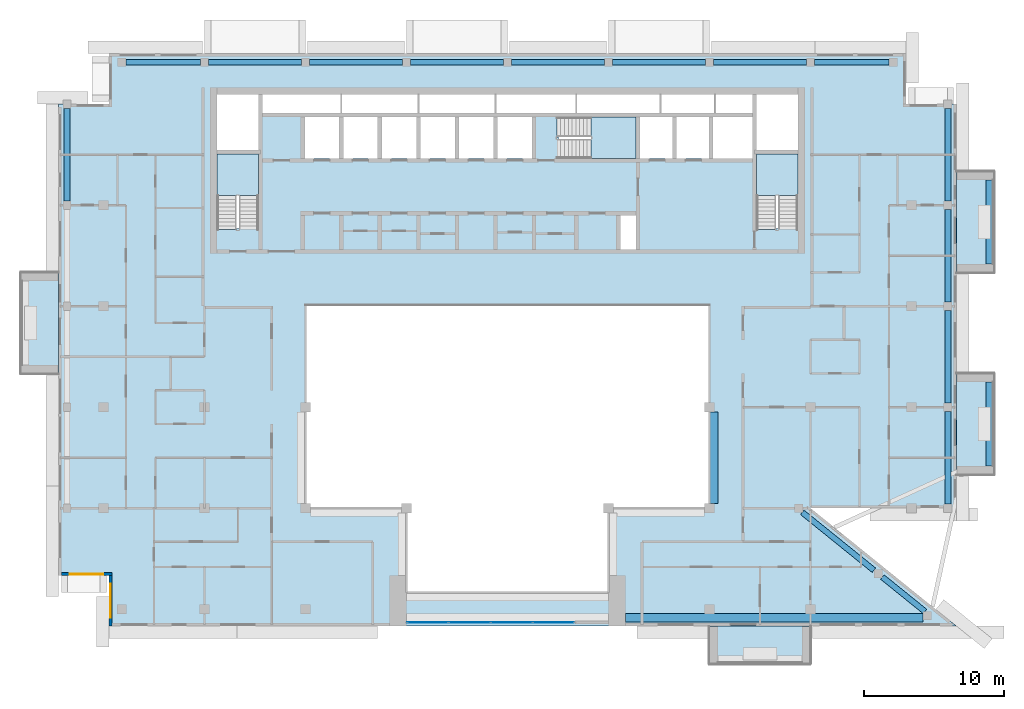
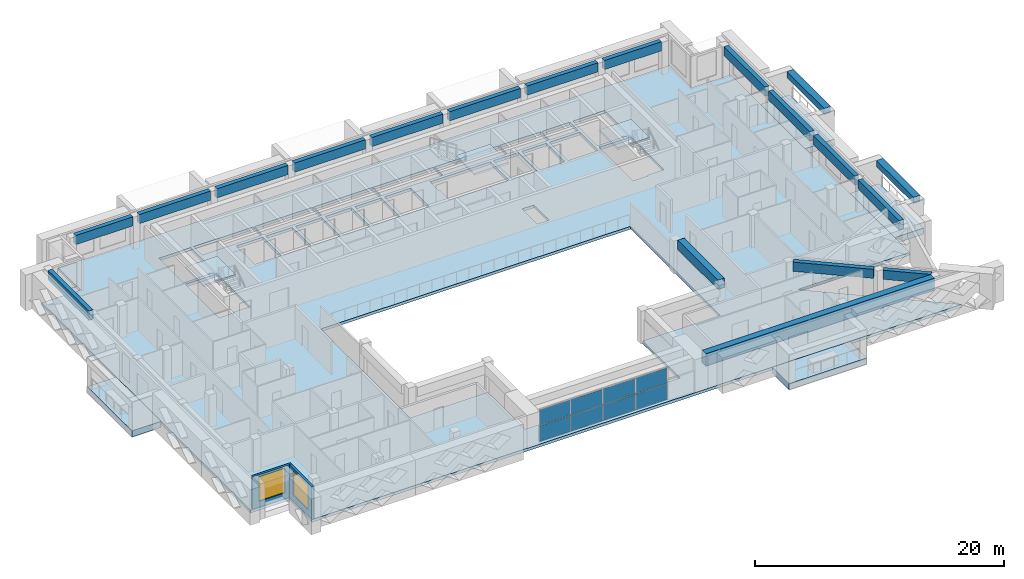
# One storey, part 5 of 19: 19 beams, 8 plates, 8 slabs, 2 walls, 2 windows, 2 openings, 4 elements without a shape of their own.
"""IFC4 building model written with IfcOpenShell, lengths in metres."""

from ifc_helpers import new_model, si_unit, direction, frame, frame_2d, origin, origin_2d, place, context, subcontext, project, spatial, polyline, rectangle, outline, extrude, source, transform, mapped, material, layer, layer_set, material_profile, profile_set, type_object, element, fill, aggregate, save


model = new_model("IFC4")

# Units and contexts
model_context = context("Model", 3, precision=1e-05, world=origin(), true_north=direction((0.0, 1.0)))
body_context = subcontext(model_context, "Body", "Model", "MODEL_VIEW")
ifc_project = project(units=[si_unit("LENGTHUNIT", "METRE"), si_unit("AREAUNIT", "SQUARE_METRE"), si_unit("VOLUMEUNIT", "CUBIC_METRE"), si_unit("PLANEANGLEUNIT", "RADIAN"), si_unit("MASSUNIT", "GRAM", prefix="KILO")], contexts=[model_context])

# Site, building, storey
site_placement = place(None, origin())
site = spatial("IfcSite", under=ifc_project, at=site_placement, CompositionType="ELEMENT")
building_placement = place(site_placement, origin())
building = spatial("IfcBuilding", under=site, at=building_placement, Name="Saffron Iwan Residences", CompositionType="ELEMENT")
storey_placement = place(building_placement, frame((0.0, 0.0, 253.5)))
storey = spatial("IfcBuildingStorey", under=building, at=storey_placement, Name="L68", CompositionType="ELEMENT", Elevation=253.5)

# Beams
ifc_material_1 = material(Name="Concrete C40/50", Category="concrete")
ifc_material_profile_1 = material_profile(ifc_material_1, rectangle(XDim=0.39990234375, YDim=0.89990234375, at=origin_2d()), Name="RC 400x900")
ifc_profile_set_1 = profile_set([ifc_material_profile_1], Name="Concrete C40/50")
beam_type_1 = type_object("IfcBeamType", Name="SPANDREL BEAM RC 400x900 C40/50 TOP 3220", PredefinedType="SPANDREL", material=ifc_profile_set_1)
shared_shape_1 = source(origin(), body_context, "Body", "SweptSolid", [
    extrude(rectangle(XDim=0.39990234375, YDim=0.89990234375, at=origin_2d()), origin(), (0.0, 0.0, 1.0), 3.91162109375),
])
beam_1_placement = place(storey_placement, frame((77.123046875, 43.0908203125, 2.77001953125), z_axis=(0.777943527056, -0.62833420145, 0.0), x_axis=(0.62833420145, 0.777943527056, 0.0)))
element("IfcBeam", 1, at=beam_1_placement, inside=storey, type_object=beam_type_1, Name="Spandrel beam", PredefinedType="SPANDREL", context=body_context, shape_type="MappedRepresentation", body=[
    mapped(shared_shape_1, transform((0.0, 0.0, 0.0))),
])
shared_shape_2 = source(origin(), body_context, "Body", "SweptSolid", [
    extrude(rectangle(XDim=0.39990234375, YDim=0.89990234375, at=origin_2d()), origin(), (0.0, 0.0, 1.0), 6.564208984375),
])
beam_2_placement = place(storey_placement, frame((71.41650390625, 47.699951171875, 2.77001953125), z_axis=(0.77793558619, -0.628344032946, 0.0), x_axis=(0.628344032946, 0.77793558619, 0.0)))
element("IfcBeam", 2, at=beam_2_placement, inside=storey, type_object=beam_type_1, Name="Spandrel beam", PredefinedType="SPANDREL", context=body_context, shape_type="MappedRepresentation", body=[
    mapped(shared_shape_2, transform((0.0, 0.0, 0.0))),
])
shared_shape_3 = source(origin(), body_context, "Body", "SweptSolid", [
    extrude(rectangle(XDim=0.39990234375, YDim=0.89990234375, at=origin_2d()), origin(), (0.0, 0.0, 1.0), 6.599853515625),
])
for number, where, z_axis, x_axis, name in (
    (3, (81.800048828125, 54.89990234375, 2.77001953125), (0.0, -1.0, 0.0), (1.0, 0.0, 0.0), "Spandrel beam"),
    (4, (29.10009765625, 79.800048828125, 2.77001953125), (1.0, 0.0, 0.0), (0.0, 1.0, 0.0), "Spandrel beam"),
    (5, (36.300048828125, 79.800048828125, 2.77001953125), (1.0, 0.0, 0.0), (0.0, 1.0, 0.0), "Spandrel beam"),
    (6, (65.10009765625, 79.800048828125, 2.77001953125), (1.0, 0.0, 0.0), (0.0, 1.0, 0.0), "Spandrel beam"),
):
    element("IfcBeam", number, at=place(storey_placement, frame(where, z_axis=z_axis, x_axis=x_axis)), inside=storey, type_object=beam_type_1, Name=name, PredefinedType="SPANDREL", context=body_context, shape_type="MappedRepresentation", body=[
        mapped(shared_shape_3, transform((0.0, 0.0, 0.0))),
    ])
shared_shape_4 = source(origin(), body_context, "Body", "SweptSolid", [
    extrude(rectangle(XDim=0.39990234375, YDim=0.89990234375, at=origin_2d()), origin(), (0.0, 0.0, 1.0), 6.60009765625),
])
for number, where, z_axis, x_axis, name in (
    (7, (81.800048828125, 62.10009765625, 2.77001953125), (0.0, -1.0, 0.0), (1.0, 0.0, 0.0), "Spandrel beam"),
    (8, (81.800048828125, 69.300048828125, 2.77001953125), (0.0, -1.0, 0.0), (1.0, 0.0, 0.0), "Spandrel beam"),
    (9, (19.0, 69.89990234375, 2.77001953125), (0.0, 1.0, 0.0), (-1.0, 0.0, 0.0), "Spandrel beam"),
    (10, (81.800048828125, 76.5, 2.77001953125), (0.0, -1.0, 0.0), (1.0, 0.0, 0.0), "Spandrel beam"),
    (11, (43.5, 79.800048828125, 2.77001953125), (1.0, 0.0, 0.0), (0.0, 1.0, 0.0), "Spandrel beam"),
    (12, (50.699951171875, 79.800048828125, 2.77001953125), (1.0, 0.0, 0.0), (0.0, 1.0, 0.0), "Spandrel beam"),
    (13, (57.89990234375, 79.800048828125, 2.77001953125), (1.0, 0.0, 0.0), (0.0, 1.0, 0.0), "Spandrel beam"),
):
    element("IfcBeam", number, at=place(storey_placement, frame(where, z_axis=z_axis, x_axis=x_axis)), inside=storey, type_object=beam_type_1, Name=name, PredefinedType="SPANDREL", context=body_context, shape_type="MappedRepresentation", body=[
        mapped(shared_shape_4, transform((0.0, 0.0, 0.0))),
    ])
shared_shape_5 = source(origin(), body_context, "Body", "SweptSolid", [
    extrude(rectangle(XDim=0.39990234375, YDim=0.89990234375, at=origin_2d()), origin(), (0.0, 0.0, 1.0), 5.300048828125),
])
for number, where, z_axis, x_axis, name in (
    (14, (23.199951171875, 79.800048828125, 2.77001953125), (1.0, 0.0, 0.0), (0.0, 1.0, 0.0), "Spandrel beam"),
    (15, (72.300048828125, 79.800048828125, 2.77001953125), (1.0, 0.0, 0.0), (0.0, 1.0, 0.0), "Spandrel beam"),
):
    element("IfcBeam", number, at=place(storey_placement, frame(where, z_axis=z_axis, x_axis=x_axis)), inside=storey, type_object=beam_type_1, Name=name, PredefinedType="SPANDREL", context=body_context, shape_type="MappedRepresentation", body=[
        mapped(shared_shape_5, transform((0.0, 0.0, 0.0))),
    ])
ifc_material_profile_2 = material_profile(ifc_material_1, rectangle(XDim=0.60009765625, YDim=1.199951171875, at=origin_2d()), Name="RC 600x1200")
ifc_profile_set_2 = profile_set([ifc_material_profile_2], Name="Concrete C40/50")
beam_type_2 = type_object("IfcBeamType", Name="LINTEL BEAM RC 600x1200 C40/50 TOP 3220", PredefinedType="LINTEL", material=ifc_profile_set_2)
shared_shape_6 = source(origin(), body_context, "Body", "SweptSolid", [
    extrude(rectangle(XDim=0.60009765625, YDim=1.199951171875, at=origin_2d()), origin(), (0.0, 0.0, 1.0), 21.2255859375),
])
beam_3_placement = place(storey_placement, frame((80.025634765625, 40.199951171875, 2.6201171875), z_axis=(-1.0, 0.0, 0.0), x_axis=(0.0, -1.0, 0.0)))
element("IfcBeam", 16, at=beam_3_placement, inside=storey, type_object=beam_type_2, Name="Lintel beam over the iwan", PredefinedType="LINTEL", context=body_context, shape_type="MappedRepresentation", body=[
    mapped(shared_shape_6, transform((0.0, 0.0, 0.0))),
])
ifc_material_profile_3 = material_profile(ifc_material_1, rectangle(XDim=0.60009765625, YDim=0.89990234375, at=origin_2d()), Name="RC 600x900")
ifc_profile_set_3 = profile_set([ifc_material_profile_3], Name="Concrete C40/50")
beam_type_3 = type_object("IfcBeamType", Name="BEAM RC 600x900 C40/50 TOP 3220", PredefinedType="BEAM", material=ifc_profile_set_3)
shared_shape_7 = source(origin(), body_context, "Body", "SweptSolid", [
    extrude(rectangle(XDim=0.60009765625, YDim=0.89990234375, at=origin_2d()), origin(), (0.0, 0.0, 1.0), 6.5),
])
beam_4_placement = place(storey_placement, frame((65.10009765625, 54.85009765625, 2.77001953125), z_axis=(0.0, -1.0, 0.0), x_axis=(1.0, 0.0, 0.0)))
element("IfcBeam", 17, at=beam_4_placement, inside=storey, type_object=beam_type_3, Name="Atrium edge beam", PredefinedType="BEAM", context=body_context, shape_type="MappedRepresentation", body=[
    mapped(shared_shape_7, transform((0.0, 0.0, 0.0))),
])
ifc_material_2 = material(Name="Concrete C50/60 white painted", Category="concrete")
ifc_material_profile_4 = material_profile(ifc_material_2, rectangle(XDim=0.60009765625, YDim=0.60009765625, at=origin_2d()), Name="BALCONY FASCIA BEAM 600 x 600")
ifc_profile_set_4 = profile_set([ifc_material_profile_4], Name="Concrete C50/60 white painted")
beam_type_4 = type_object("IfcBeamType", Name="BALCONY FASCIA BEAM 600 x 600", PredefinedType="BEAM", material=ifc_profile_set_4)
shared_shape_8 = source(origin(), body_context, "Body", "SweptSolid", [
    extrude(rectangle(XDim=0.60009765625, YDim=0.60009765625, at=origin_2d()), origin(), (0.0, 0.0, 1.0), 6.0),
])
for number, where, z_axis, x_axis, name in (
    (18, (84.800048828125, 51.0, 2.550048828125), (0.0, 1.0, 0.0), (-1.0, 0.0, 0.0), "Balcony fascia beam L68 F2-0"),
    (19, (84.800048828125, 65.39990234375, 2.550048828125), (0.0, 1.0, 0.0), (-1.0, 0.0, 0.0), "Balcony fascia beam L68 F2-1"),
):
    element("IfcBeam", number, at=place(storey_placement, frame(where, z_axis=z_axis, x_axis=x_axis)), inside=storey, type_object=beam_type_4, Name=name, PredefinedType="BEAM", context=body_context, shape_type="MappedRepresentation", body=[
        mapped(shared_shape_8, transform((0.0, 0.0, 0.0))),
    ])

# Slabs
ifc_layer_1 = layer(ifc_material_2, 0.60009765625)
ifc_layer_set_1 = layer_set([ifc_layer_1], Name="Concrete C50/60 white painted")
slab_type_1 = type_object("IfcSlabType", Name="BALCONY FRAME SLAB 600", PredefinedType="FLOOR", material=ifc_layer_set_1)
slab_1_placement = place(storey_placement, frame((0.0, 0.0, -0.60009765625)))
element("IfcSlab", 20, at=slab_1_placement, inside=storey, type_object=slab_type_1, Name="Balcony frame slab L68 F2-0", PredefinedType="FLOOR", context=body_context, shape_type="SweptSolid", body=[
    extrude(outline(polyline([(85.10009765625, 50.39990234375), (85.10009765625, 57.60009765625), (82.39990234375, 57.60009765625), (82.39990234375, 50.39990234375), (85.10009765625, 50.39990234375)])), origin(), (0.0, 0.0, 1.0), 0.60009765625),
])
slab_2_placement = place(storey_placement, frame((0.0, 0.0, -0.60009765625)))
element("IfcSlab", 21, at=slab_2_placement, inside=storey, type_object=slab_type_1, Name="Balcony frame slab L68 F2-1", PredefinedType="FLOOR", context=body_context, shape_type="SweptSolid", body=[
    extrude(outline(polyline([(85.10009765625, 64.800048828125), (85.10009765625, 72.0), (82.39990234375, 72.0), (82.39990234375, 64.800048828125), (85.10009765625, 64.800048828125)])), origin(), (0.0, 0.0, 1.0), 0.60009765625),
])
slab_3_placement = place(storey_placement, frame((0.0, 0.0, -0.60009765625)))
element("IfcSlab", 22, at=slab_3_placement, inside=storey, type_object=slab_type_1, Name="Balcony frame slab L68 F8-0", PredefinedType="FLOOR", context=body_context, shape_type="SweptSolid", body=[
    extrude(outline(polyline([(15.699951171875, 64.800048828125), (15.699951171875, 57.60009765625), (18.39990234375, 57.60009765625), (18.39990234375, 64.800048828125), (15.699951171875, 64.800048828125)])), origin(), (0.0, 0.0, 1.0), 0.60009765625),
])
slab_4_placement = place(storey_placement, frame((0.0, 0.0, -0.60009765625)))
element("IfcSlab", 23, at=slab_4_placement, inside=storey, type_object=slab_type_1, Name="Balcony frame slab L68 11-0", PredefinedType="FLOOR", context=body_context, shape_type="SweptSolid", body=[
    extrude(outline(polyline([(64.800048828125, 36.89990234375), (72.0, 36.89990234375), (72.0, 39.60009765625), (64.800048828125, 39.60009765625), (64.800048828125, 36.89990234375)])), origin(), (0.0, 0.0, 1.0), 0.60009765625),
])
ifc_layer_2 = layer(ifc_material_1, 0.280029296875)
ifc_layer_set_2 = layer_set([ifc_layer_2], Name="Concrete C40/50")
slab_type_2 = type_object("IfcSlabType", Name="PT PLATE 280 C40/50", PredefinedType="FLOOR", material=ifc_layer_set_2)
slab_5_placement = place(storey_placement, frame((0.0, 0.0, -0.280029296875)))
element("IfcSlab", 24, at=slab_5_placement, inside=storey, type_object=slab_type_2, Name="Floor slab L68", PredefinedType="FLOOR", context=body_context, shape_type="SweptSolid", body=[
    extrude(outline(polyline([(18.39990234375, 43.199951171875), (18.39990234375, 76.800048828125), (22.0, 76.800048828125), (22.0, 80.39990234375), (78.800048828125, 80.39990234375), (78.800048828125, 76.800048828125), (82.39990234375, 76.800048828125), (82.39990234375, 48.0), (72.0, 48.0), (82.39990234375, 39.60009765625), (22.0, 39.60009765625), (22.0, 43.199951171875), (18.39990234375, 43.199951171875)]), holes=[polyline([(64.800048828125, 48.0), (64.800048828125, 62.39990234375), (36.0, 62.39990234375), (36.0, 48.0), (43.199951171875, 48.0), (43.199951171875, 42.0), (57.60009765625, 42.0), (57.60009765625, 48.0), (64.800048828125, 48.0)]), polyline([(29.699951171875, 73.25), (29.699951171875, 67.949951171875), (29.699951171875, 67.8505859375), (31.10009765625, 67.8505859375), (31.10009765625, 67.949951171875), (32.64990234375, 67.949951171875), (32.64990234375, 73.25), (29.699951171875, 73.25)]), polyline([(38.39990234375, 75.875), (35.949951171875, 75.875), (35.949951171875, 72.925048828125), (38.39990234375, 72.925048828125), (38.39990234375, 75.875)]), polyline([(41.14990234375, 75.875), (38.699951171875, 75.875), (38.699951171875, 72.925048828125), (41.14990234375, 72.925048828125), (41.14990234375, 75.875)]), polyline([(43.89990234375, 72.925048828125), (43.89990234375, 75.875), (41.449951171875, 75.875), (41.449951171875, 72.925048828125), (43.89990234375, 72.925048828125)]), polyline([(46.64990234375, 72.925048828125), (46.64990234375, 75.875), (44.199951171875, 75.875), (44.199951171875, 72.925048828125), (46.64990234375, 72.925048828125)]), polyline([(49.39990234375, 75.875), (46.949951171875, 75.875), (46.949951171875, 72.925048828125), (49.39990234375, 72.925048828125), (49.39990234375, 75.875)]), polyline([(52.14990234375, 72.925048828125), (52.14990234375, 75.875), (49.699951171875, 75.875), (49.699951171875, 72.925048828125), (52.14990234375, 72.925048828125)]), polyline([(32.64990234375, 73.550048828125), (32.64990234375, 77.5), (29.699951171875, 77.5), (29.699951171875, 73.550048828125), (32.64990234375, 73.550048828125)]), polyline([(38.5, 77.5), (32.949951171875, 77.5), (32.949951171875, 76.175048828125), (38.5, 76.175048828125), (38.5, 77.5)]), polyline([(44.0, 76.175048828125), (44.0, 77.5), (38.60009765625, 77.5), (38.60009765625, 76.175048828125), (44.0, 76.175048828125)]), polyline([(49.5, 76.175048828125), (49.5, 77.5), (44.10009765625, 77.5), (44.10009765625, 76.175048828125), (49.5, 76.175048828125)]), polyline([(59.550048828125, 68.875), (58.449951171875, 68.875), (58.449951171875, 66.449951171875), (59.550048828125, 66.449951171875), (59.550048828125, 68.875)]), polyline([(68.14990234375, 73.25), (68.14990234375, 67.949951171875), (68.14990234375, 67.8505859375), (69.550048828125, 67.8505859375), (69.550048828125, 67.949951171875), (71.10009765625, 67.949951171875), (71.10009765625, 73.25), (68.14990234375, 73.25)]), polyline([(54.02490234375, 74.47509765625), (54.02490234375, 72.925048828125), (59.550048828125, 72.925048828125), (59.550048828125, 75.875), (54.02490234375, 75.875), (53.925537109375, 75.875), (53.925537109375, 74.47509765625), (54.02490234375, 74.47509765625)]), polyline([(62.14990234375, 72.925048828125), (62.14990234375, 75.875), (59.85009765625, 75.875), (59.85009765625, 72.925048828125), (62.14990234375, 72.925048828125)]), polyline([(64.75, 72.925048828125), (64.75, 75.875), (62.449951171875, 75.875), (62.449951171875, 72.925048828125), (64.75, 72.925048828125)]), polyline([(67.85009765625, 75.875), (65.050048828125, 75.875), (65.050048828125, 72.925048828125), (67.85009765625, 72.925048828125), (67.85009765625, 75.875)]), polyline([(71.10009765625, 73.550048828125), (71.10009765625, 77.5), (68.14990234375, 77.5), (68.14990234375, 73.550048828125), (71.10009765625, 73.550048828125)]), polyline([(55.25, 76.175048828125), (55.25, 77.5), (49.60009765625, 77.5), (49.60009765625, 76.175048828125), (55.25, 76.175048828125)]), polyline([(61.25, 77.5), (55.35009765625, 77.5), (55.35009765625, 76.175048828125), (61.25, 76.175048828125), (61.25, 77.5)]), polyline([(65.14990234375, 76.175048828125), (65.14990234375, 77.5), (61.35009765625, 77.5), (61.35009765625, 76.175048828125), (65.14990234375, 76.175048828125)]), polyline([(67.85009765625, 76.175048828125), (67.85009765625, 77.5), (65.25, 77.5), (65.25, 76.175048828125), (67.85009765625, 76.175048828125)])]), origin(), (0.0, 0.0, 1.0), 0.280029296875),
])

# Stair, slab
ifc_material_3 = material(Name="Concrete C50/60", Category="concrete")
stair_type = type_object("IfcStairType", Name="Stair ST-CORE", PredefinedType="HALF_TURN_STAIR", material=ifc_material_3)
stair_1_placement = place(storey_placement, origin())
stair_1 = element("IfcStair", 25, at=stair_1_placement, inside=storey, type_object=stair_type, Name="L68 Exit Stair ST-W", PredefinedType="HALF_TURN_STAIR")
ifc_layer_3 = layer(ifc_material_3, 0.199951171875)
ifc_layer_set_3 = layer_set([ifc_layer_3], Name="Concrete C50/60")
slab_type_3 = type_object("IfcSlabType", Name="Stair landing SL-RC", PredefinedType="LANDING", material=ifc_layer_set_3)
slab_6_placement = place(storey_placement, frame((0.0, 0.0, 1.5498046875)))
slab_6 = element("IfcSlab", 26, at=slab_6_placement, type_object=slab_type_3, Name="ST-W landing 1", PredefinedType="LANDING", context=body_context, shape_type="SweptSolid", body=[
    extrude(outline(polyline([(32.64990234375, 70.280029296875), (32.64990234375, 73.25), (29.699951171875, 73.25), (29.699951171875, 70.280029296875), (32.64990234375, 70.280029296875)])), origin(), (0.0, 0.0, 1.0), 0.2001953125),
])
aggregate(stair_1, [slab_6])

stair_2_placement = place(storey_placement, origin())
stair_2 = element("IfcStair", 27, at=stair_2_placement, inside=storey, type_object=stair_type, Name="L68 Exit Stair ST-C", PredefinedType="HALF_TURN_STAIR")
slab_7_placement = place(storey_placement, frame((0.0, 0.0, 1.5498046875)))
slab_7 = element("IfcSlab", 28, at=slab_7_placement, type_object=slab_type_3, Name="ST-C landing 1", PredefinedType="LANDING", context=body_context, shape_type="SweptSolid", body=[
    extrude(outline(polyline([(56.35498046875, 72.925048828125), (59.550048828125, 72.925048828125), (59.550048828125, 75.875), (56.35498046875, 75.875), (56.35498046875, 72.925048828125)])), origin(), (0.0, 0.0, 1.0), 0.2001953125),
])
aggregate(stair_2, [slab_7])

stair_3_placement = place(storey_placement, origin())
stair_3 = element("IfcStair", 29, at=stair_3_placement, inside=storey, type_object=stair_type, Name="L68 Exit Stair ST-E", PredefinedType="HALF_TURN_STAIR")
slab_8_placement = place(storey_placement, frame((0.0, 0.0, 1.5498046875)))
slab_8 = element("IfcSlab", 30, at=slab_8_placement, type_object=slab_type_3, Name="ST-E landing 1", PredefinedType="LANDING", context=body_context, shape_type="SweptSolid", body=[
    extrude(outline(polyline([(71.10009765625, 70.280029296875), (71.10009765625, 73.25), (68.14990234375, 73.25), (68.14990234375, 70.280029296875), (71.10009765625, 70.280029296875)])), origin(), (0.0, 0.0, 1.0), 0.2001953125),
])
aggregate(stair_3, [slab_8])

# Curtain wall, plates
ifc_material_4 = material(Name="Clear glass, laminated double glazed", Category="glass")
ifc_layer_4 = layer(ifc_material_4, 0.199951171875)
ifc_layer_set_4 = layer_set([ifc_layer_4], Name="Clear glass, laminated double glazed")
curtain_wall_type = type_object("IfcCurtainWallType", Name="CW-B IWAN PORTAL", PredefinedType="NOTDEFINED", material=ifc_layer_set_4)
curtain_wall_placement = place(storey_placement, origin())
curtain_wall = element("IfcCurtainWall", 31, at=curtain_wall_placement, inside=storey, type_object=curtain_wall_type, Name="Iwan portal glazing L68.1", PredefinedType="NOTDEFINED")
ifc_layer_5 = layer(ifc_material_4, 0.028076171875)
ifc_layer_set_5 = layer_set([ifc_layer_5], Name="Clear glass, laminated double glazed")
plate_type = type_object("IfcPlateType", Name="CW-B PANEL 28", PredefinedType="CURTAIN_PANEL", material=ifc_layer_set_5)
shared_shape_9 = source(origin(), body_context, "Body", "SweptSolid", [
    extrude(rectangle(XDim=2.909912109375, YDim=0.028076171875, at=origin_2d()), origin(), (0.0, 0.0, 1.0), 1.52001953125),
])
plate_1_placement = place(storey_placement, frame((44.715087890625, 39.85009765625, 0.06005859375), z_axis=(0.0, 0.0, 1.0), x_axis=(1.0, 0.0, 0.0)))
plate_1 = element("IfcPlate", 32, at=plate_1_placement, type_object=plate_type, Name="CW-B panel 1.1", PredefinedType="CURTAIN_PANEL", context=body_context, shape_type="MappedRepresentation", body=[
    mapped(shared_shape_9, transform((0.0, 0.0, 0.0))),
])
plate_2_placement = place(storey_placement, frame((44.715087890625, 39.85009765625, 1.639892578125), z_axis=(0.0, 0.0, 1.0), x_axis=(1.0, 0.0, 0.0)))
plate_2 = element("IfcPlate", 33, at=plate_2_placement, type_object=plate_type, Name="CW-B panel 1.2", PredefinedType="CURTAIN_PANEL", context=body_context, shape_type="MappedRepresentation", body=[
    mapped(shared_shape_9, transform((0.0, 0.0, 0.0))),
])
plate_3_placement = place(storey_placement, frame((53.68505859375, 39.85009765625, 0.06005859375), z_axis=(0.0, 0.0, 1.0), x_axis=(1.0, 0.0, 0.0)))
plate_3 = element("IfcPlate", 34, at=plate_3_placement, type_object=plate_type, Name="CW-B panel 4.1", PredefinedType="CURTAIN_PANEL", context=body_context, shape_type="MappedRepresentation", body=[
    mapped(shared_shape_9, transform((0.0, 0.0, 0.0))),
])
plate_4_placement = place(storey_placement, frame((53.68505859375, 39.85009765625, 1.639892578125), z_axis=(0.0, 0.0, 1.0), x_axis=(1.0, 0.0, 0.0)))
plate_4 = element("IfcPlate", 35, at=plate_4_placement, type_object=plate_type, Name="CW-B panel 4.2", PredefinedType="CURTAIN_PANEL", context=body_context, shape_type="MappedRepresentation", body=[
    mapped(shared_shape_9, transform((0.0, 0.0, 0.0))),
])
shared_shape_10 = source(origin(), body_context, "Body", "SweptSolid", [
    extrude(rectangle(XDim=2.93994140625, YDim=0.028076171875, at=origin_2d()), origin(), (0.0, 0.0, 1.0), 1.52001953125),
])
plate_5_placement = place(storey_placement, frame((47.699951171875, 39.85009765625, 0.06005859375), z_axis=(0.0, 0.0, 1.0), x_axis=(1.0, 0.0, 0.0)))
plate_5 = element("IfcPlate", 36, at=plate_5_placement, type_object=plate_type, Name="CW-B panel 2.1", PredefinedType="CURTAIN_PANEL", context=body_context, shape_type="MappedRepresentation", body=[
    mapped(shared_shape_10, transform((0.0, 0.0, 0.0))),
])
plate_6_placement = place(storey_placement, frame((47.699951171875, 39.85009765625, 1.639892578125), z_axis=(0.0, 0.0, 1.0), x_axis=(1.0, 0.0, 0.0)))
plate_6 = element("IfcPlate", 37, at=plate_6_placement, type_object=plate_type, Name="CW-B panel 2.2", PredefinedType="CURTAIN_PANEL", context=body_context, shape_type="MappedRepresentation", body=[
    mapped(shared_shape_10, transform((0.0, 0.0, 0.0))),
])
plate_7_placement = place(storey_placement, frame((50.699951171875, 39.85009765625, 0.06005859375), z_axis=(0.0, 0.0, 1.0), x_axis=(1.0, 0.0, 0.0)))
plate_7 = element("IfcPlate", 38, at=plate_7_placement, type_object=plate_type, Name="CW-B panel 3.1", PredefinedType="CURTAIN_PANEL", context=body_context, shape_type="MappedRepresentation", body=[
    mapped(shared_shape_10, transform((0.0, 0.0, 0.0))),
])
plate_8_placement = place(storey_placement, frame((50.699951171875, 39.85009765625, 1.639892578125), z_axis=(0.0, 0.0, 1.0), x_axis=(1.0, 0.0, 0.0)))
plate_8 = element("IfcPlate", 39, at=plate_8_placement, type_object=plate_type, Name="CW-B panel 3.2", PredefinedType="CURTAIN_PANEL", context=body_context, shape_type="MappedRepresentation", body=[
    mapped(shared_shape_10, transform((0.0, 0.0, 0.0))),
])
aggregate(curtain_wall, [plate_1, plate_2, plate_5, plate_6, plate_7, plate_8, plate_3, plate_4])

# Wall, opening, window
ifc_layer_6 = layer(ifc_material_1, 0.199951171875)
ifc_layer_set_6 = layer_set([ifc_layer_6], Name="Concrete C40/50")
wall_type = type_object("IfcWallType", Name="EXTERNAL WALL 200", PredefinedType="SOLIDWALL", material=ifc_layer_set_6)
wall_1_placement = place(storey_placement, frame((18.60009765625, 43.300048828125, 0.0), z_axis=(0.0, 0.0, 1.0), x_axis=(1.0, 0.0, 0.0)))
wall_1 = element("IfcWall", 40, at=wall_1_placement, inside=storey, type_object=wall_type, Name="External wall L68 F9.0", PredefinedType="SOLIDWALL", context=body_context, shape_type="SweptSolid", body=[
    extrude(rectangle(XDim=3.599853515625, YDim=0.199951171875, at=frame_2d((1.7998046875, 0.0))), origin(), (0.0, 0.0, 1.0), 3.219970703125),
])
opening_1_placement = place(wall_1_placement, frame((0.60009765625, 0.0, 0.60009765625)))
opening_1 = element("IfcOpeningElement", 41, at=opening_1_placement, cuts=wall_1, Name="Opening W1", PredefinedType="OPENING", context=body_context, shape_type="SweptSolid", body=[
    extrude(rectangle(XDim=2.39990234375, YDim=2.39990234375, at=frame_2d((1.199951171875, 1.199951171875))), frame((0.0, 0.10986328125, 0.0), z_axis=(0.0, -1.0, 0.0), x_axis=(1.0, 0.0, 0.0)), (0.0, 0.0, 1.0), 0.219970703125),
])
window_type = type_object("IfcWindowType", Name="WINDOW 2400 x 2400", PartitioningType="DOUBLE_PANEL_VERTICAL", PredefinedType="WINDOW", material=ifc_material_4)
window_1_placement = place(opening_1_placement, origin())
window_1 = element("IfcWindow", 42, at=window_1_placement, inside=storey, type_object=window_type, Name="Window L68 F9.0", OverallHeight=2.39990234375, OverallWidth=2.39990234375, PartitioningType="DOUBLE_PANEL_VERTICAL", PredefinedType="WINDOW", context=body_context, shape_type="SweptSolid", body=[
    extrude(rectangle(XDim=2.39990234375, YDim=2.39990234375, at=frame_2d((1.199951171875, 1.199951171875))), frame((0.0, 0.030029296875, 0.0), z_axis=(0.0, -1.0, 0.0), x_axis=(1.0, 0.0, 0.0)), (0.0, 0.0, 1.0), 0.06005859375),
])
fill(opening_1, window_1)

wall_2_placement = place(storey_placement, frame((22.10009765625, 43.199951171875, 0.0), z_axis=(0.0, 0.0, 1.0), x_axis=(0.0, -1.0, 0.0)))
wall_2 = element("IfcWall", 43, at=wall_2_placement, inside=storey, type_object=wall_type, Name="External wall L68 F10.0", PredefinedType="SOLIDWALL", context=body_context, shape_type="SweptSolid", body=[
    extrude(rectangle(XDim=3.599853515625, YDim=0.199951171875, at=frame_2d((1.7998046875, 0.0))), origin(), (0.0, 0.0, 1.0), 3.219970703125),
])
opening_2_placement = place(wall_2_placement, frame((0.60009765625, 0.0, 0.60009765625)))
opening_2 = element("IfcOpeningElement", 44, at=opening_2_placement, cuts=wall_2, Name="Opening W1", PredefinedType="OPENING", context=body_context, shape_type="SweptSolid", body=[
    extrude(rectangle(XDim=2.39990234375, YDim=2.39990234375, at=frame_2d((1.199951171875, 1.199951171875))), frame((0.0, 0.10986328125, 0.0), z_axis=(0.0, -1.0, 0.0), x_axis=(1.0, 0.0, 0.0)), (0.0, 0.0, 1.0), 0.219970703125),
])
window_2_placement = place(opening_2_placement, origin())
window_2 = element("IfcWindow", 45, at=window_2_placement, inside=storey, type_object=window_type, Name="Window L68 F10.0", OverallHeight=2.39990234375, OverallWidth=2.39990234375, PartitioningType="DOUBLE_PANEL_VERTICAL", PredefinedType="WINDOW", context=body_context, shape_type="SweptSolid", body=[
    extrude(rectangle(XDim=2.39990234375, YDim=2.39990234375, at=frame_2d((1.199951171875, 1.199951171875))), frame((0.0, 0.030029296875, 0.0), z_axis=(0.0, -1.0, 0.0), x_axis=(1.0, 0.0, 0.0)), (0.0, 0.0, 1.0), 0.06005859375),
])
fill(opening_2, window_2)

save(model, "model.ifc")
